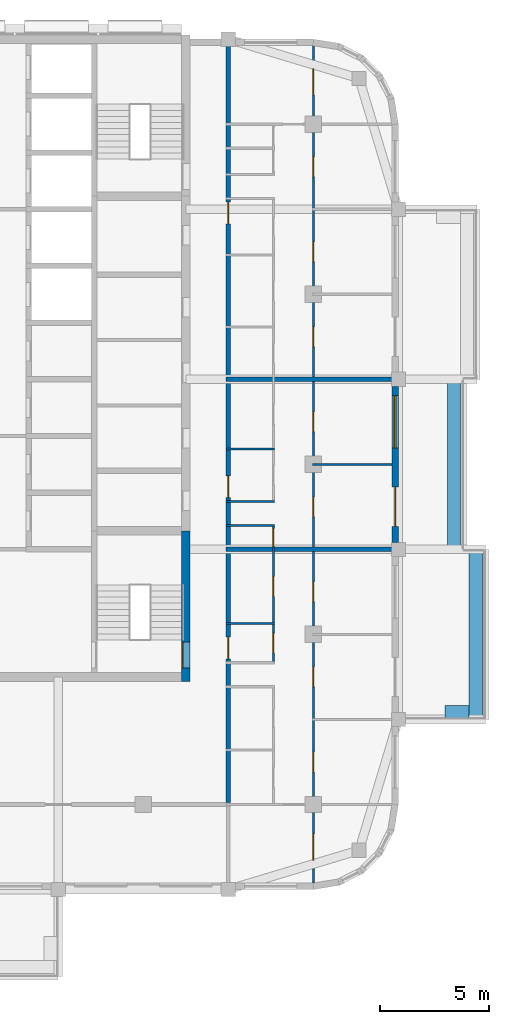
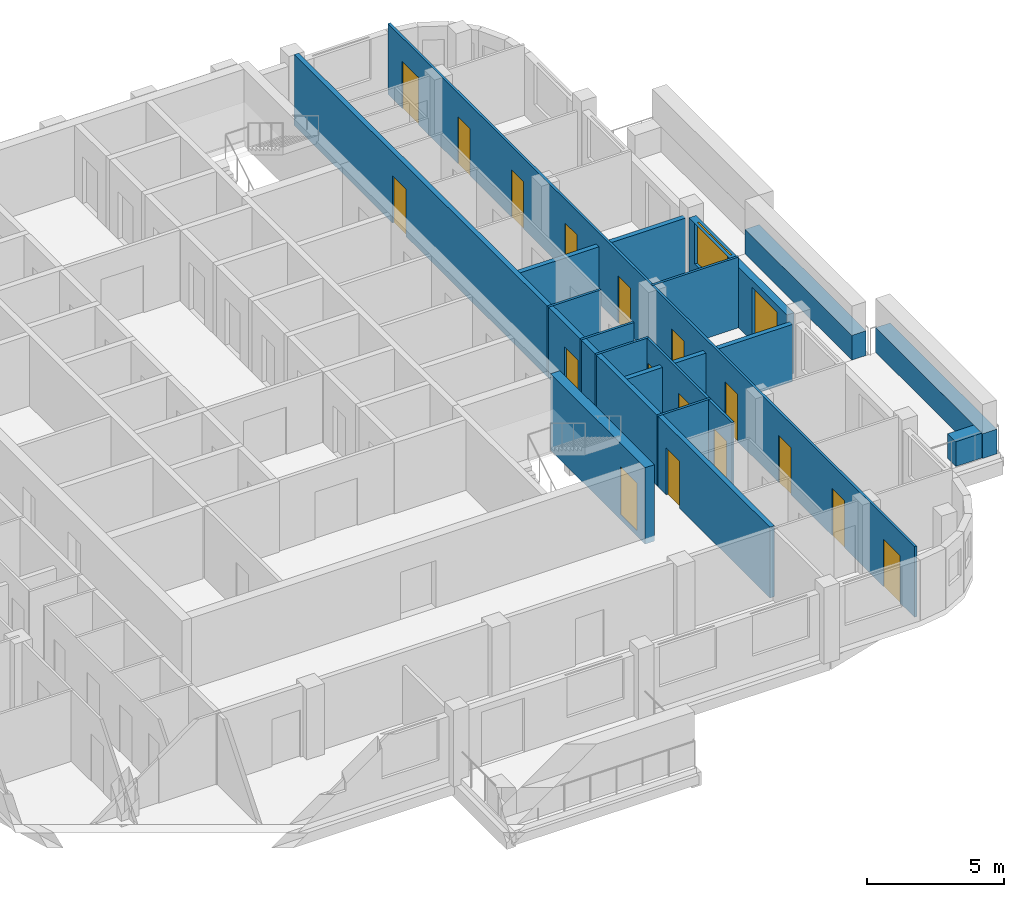
# One storey, part 6 of 13: 18 doors, 15 walls, 1 window, 19 openings.
"""IFC4 building model written with IfcOpenShell, lengths in metres."""

from ifc_helpers import new_model, si_unit, direction, frame, frame_2d, origin, place, context, subcontext, project, spatial, rectangle, extrude, material, layer, layer_set, type_object, element, fill, save


model = new_model("IFC4")

# Units and contexts
model_context = context("Model", 3, precision=1e-05, world=origin(), true_north=direction((0.0, 1.0)))
body_context = subcontext(model_context, "Body", "Model", "MODEL_VIEW")
ifc_project = project(units=[si_unit("LENGTHUNIT", "METRE"), si_unit("AREAUNIT", "SQUARE_METRE"), si_unit("VOLUMEUNIT", "CUBIC_METRE"), si_unit("PLANEANGLEUNIT", "RADIAN"), si_unit("MASSUNIT", "GRAM", prefix="KILO")], contexts=[model_context])

# Site, building, storey
site_placement = place(None, origin())
site = spatial("IfcSite", under=ifc_project, at=site_placement, CompositionType="ELEMENT")
building_placement = place(site_placement, origin())
building = spatial("IfcBuilding", under=site, at=building_placement, Name="Ludao Terraces", CompositionType="ELEMENT")
storey_placement = place(building_placement, frame((0.0, 0.0, 252.800048828125)))
storey = spatial("IfcBuildingStorey", under=building, at=storey_placement, Name="L69", CompositionType="ELEMENT", Elevation=252.800048828125)

# Wall, opening, door
ifc_material_1 = material(Name="Concrete C50", Category="concrete")
ifc_layer_1 = layer(ifc_material_1, 0.39990234375)
ifc_layer_set_1 = layer_set([ifc_layer_1], Name="Core wall 400 C50")
wall_type_1 = type_object("IfcWallType", Name="Core wall 400 C50", PredefinedType="SOLIDWALL", material=ifc_layer_set_1)
wall_1_placement = place(storey_placement, frame((94.75, 55.050048828125, -0.25), z_axis=(0.0, 0.0, 1.0), x_axis=(0.0, 1.0, 0.0)))
wall_1 = element("IfcWall", 1, at=wall_1_placement, inside=storey, type_object=wall_type_1, Name="Core wall L69 outer-E-S3", PredefinedType="SOLIDWALL", context=body_context, shape_type="SweptSolid", body=[
    extrude(rectangle(XDim=6.89990234375, YDim=0.39990234375, at=frame_2d((3.449951171875, 0.0))), origin(), (0.0, 0.0, 1.0), 3.39990234375),
])
opening_1_placement = place(wall_1_placement, frame((0.60009765625, 0.0, 0.25)))
opening_1 = element("IfcOpeningElement", 2, at=opening_1_placement, cuts=wall_1, Name="Opening R25-018", PredefinedType="OPENING", context=body_context, shape_type="SweptSolid", body=[
    extrude(rectangle(XDim=1.199951171875, YDim=2.10009765625, at=frame_2d((0.60009765625, 1.050048828125))), frame((0.0, 0.2099609375, 0.0), z_axis=(0.0, -1.0, 0.0), x_axis=(1.0, 0.0, 0.0)), (0.0, 0.0, 1.0), 0.419921875),
])
ifc_material_2 = material(Name="Steel Q235", Category="steel")
door_type_1 = type_object("IfcDoorType", Name="INT Stair door 1200", OperationType="DOUBLE_DOOR_SINGLE_SWING", PredefinedType="DOOR", material=ifc_material_2)
door_1_placement = place(opening_1_placement, origin())
door_1 = element("IfcDoor", 3, at=door_1_placement, inside=storey, type_object=door_type_1, Name="DOOR 018", OperationType="DOUBLE_DOOR_SINGLE_SWING", OverallHeight=2.10009765625, OverallWidth=1.199951171875, PredefinedType="DOOR", context=body_context, shape_type="SweptSolid", body=[
    extrude(rectangle(XDim=1.199951171875, YDim=2.10009765625, at=frame_2d((0.60009765625, 1.050048828125))), frame((0.0, 0.18505859375, 0.0), z_axis=(0.0, -1.0, 0.0), x_axis=(1.0, 0.0, 0.0)), (0.0, 0.0, 1.0), 0.050048828125),
])
fill(opening_1, door_1)

# Walls
ifc_material_3 = material(Name="Concrete C40", Category="concrete")
ifc_layer_2 = layer(ifc_material_3, 0.60009765625)
ifc_layer_set_2 = layer_set([ifc_layer_2], Name="ENV Planter trough 600")
wall_type_2 = type_object("IfcWallType", Name="ENV Planter trough 600", PredefinedType="USERDEFINED", material=ifc_layer_set_2)
wall_2_placement = place(storey_placement, frame((108.050048828125, 53.300048828125, 0.0), z_axis=(0.0, 0.0, 1.0), x_axis=(0.0, 1.0, 0.0)))
element("IfcWall", 4, at=wall_2_placement, inside=storey, type_object=wall_type_2, Name="PL-L69-E1", ObjectType="PLANTER", PredefinedType="USERDEFINED", context=body_context, shape_type="SweptSolid", body=[
    extrude(rectangle(XDim=7.800048828125, YDim=0.60009765625, at=frame_2d((3.89990234375, 0.0))), origin(), (0.0, 0.0, 1.0), 1.099853515625),
])
wall_3_placement = place(storey_placement, frame((107.75, 53.64990234375, 0.0), z_axis=(0.0, 0.0, 1.0), x_axis=(-1.0, 0.0, 0.0)))
element("IfcWall", 5, at=wall_3_placement, inside=storey, type_object=wall_type_2, Name="PL-L69-E1-SA", ObjectType="PLANTER", PredefinedType="USERDEFINED", context=body_context, shape_type="SweptSolid", body=[
    extrude(rectangle(XDim=1.10009765625, YDim=0.60009765625, at=frame_2d((0.550048828125, 0.0))), origin(), (0.0, 0.0, 1.0), 1.099853515625),
])
wall_4_placement = place(storey_placement, frame((107.050048828125, 61.10009765625, 0.0), z_axis=(0.0, 0.0, 1.0), x_axis=(0.0, 1.0, 0.0)))
element("IfcWall", 6, at=wall_4_placement, inside=storey, type_object=wall_type_2, Name="PL-L69-E2", ObjectType="PLANTER", PredefinedType="USERDEFINED", context=body_context, shape_type="SweptSolid", body=[
    extrude(rectangle(XDim=7.7998046875, YDim=0.60009765625, at=frame_2d((3.89990234375, 0.0))), origin(), (0.0, 0.0, 1.0), 1.099853515625),
])

# Wall, openings, door, window
ifc_material_4 = material(Name="Granite cladding", Category="masonry")
ifc_layer_3 = layer(ifc_material_4, 0.0400390625, Category="stone")
ifc_material_5 = material(Name="Mineral wool")
ifc_layer_4 = layer(ifc_material_5, 0.06005859375)
ifc_layer_5 = layer(ifc_material_3, 0.199951171875, Category="concrete")
ifc_layer_set_3 = layer_set([ifc_layer_3, ifc_layer_4, ifc_layer_5], Name="ENV Stone-clad wall 300")
wall_type_3 = type_object("IfcWallType", Name="ENV Stone-clad wall 300", PredefinedType="SOLIDWALL", material=ifc_layer_set_3)
wall_5_placement = place(storey_placement, frame((104.35009765625, 61.425048828125, 0.0), z_axis=(0.0, 0.0, 1.0), x_axis=(0.0, 1.0, 0.0)))
wall_5 = element("IfcWall", 7, at=wall_5_placement, inside=storey, type_object=wall_type_3, Name="EW-L69-E3", PredefinedType="SOLIDWALL", context=body_context, shape_type="SweptSolid", body=[
    extrude(rectangle(XDim=7.14990234375, YDim=0.300048828125, at=frame_2d((3.574951171875, 0.0))), origin(), (0.0, 0.0, 1.0), 2.699951171875),
])
opening_2_placement = place(wall_5_placement, frame((0.72509765625, 0.0, 0.0)))
opening_2 = element("IfcOpeningElement", 8, at=opening_2_placement, cuts=wall_5, Name="Opening BD", PredefinedType="OPENING", context=body_context, shape_type="SweptSolid", body=[
    extrude(rectangle(XDim=1.800048828125, YDim=2.39990234375, at=frame_2d((0.89990234375, 1.199951171875))), frame((0.0, 0.16015625, 0.0), z_axis=(0.0, -1.0, 0.0), x_axis=(1.0, 0.0, 0.0)), (0.0, 0.0, 1.0), 0.320068359375),
])
opening_3_placement = place(wall_5_placement, frame((4.324951171875, 0.0, 0.89990234375)))
opening_3 = element("IfcOpeningElement", 9, at=opening_3_placement, cuts=wall_5, Name="Opening W1", PredefinedType="OPENING", context=body_context, shape_type="SweptSolid", body=[
    extrude(rectangle(XDim=2.39990234375, YDim=1.800048828125, at=frame_2d((1.199951171875, 0.89990234375))), frame((0.0, 0.16015625, 0.0), z_axis=(0.0, -1.0, 0.0), x_axis=(1.0, 0.0, 0.0)), (0.0, 0.0, 1.0), 0.320068359375),
])
ifc_material_6 = material(Name="Aluminium glazed door", Category="aluminium")
ifc_layer_6 = layer(ifc_material_6, 0.06005859375)
ifc_layer_set_4 = layer_set([ifc_layer_6], Name="ENV Balcony door BD 1800x2400")
door_type_2 = type_object("IfcDoorType", Name="ENV Balcony door BD 1800x2400", OperationType="DOUBLE_DOOR_SINGLE_SWING", PredefinedType="DOOR", material=ifc_layer_set_4)
door_2_placement = place(opening_2_placement, origin())
door_2 = element("IfcDoor", 10, at=door_2_placement, inside=storey, type_object=door_type_2, Name="BD-L69-E3-1", OperationType="DOUBLE_DOOR_SINGLE_SWING", OverallHeight=2.39990234375, OverallWidth=1.800048828125, PredefinedType="DOOR", context=body_context, shape_type="SweptSolid", body=[
    extrude(rectangle(XDim=1.800048828125, YDim=2.39990234375, at=frame_2d((0.89990234375, 1.199951171875))), frame((0.0, 0.02490234375, 0.0), z_axis=(0.0, -1.0, 0.0), x_axis=(1.0, 0.0, 0.0)), (0.0, 0.0, 1.0), 0.050048828125),
])
fill(opening_2, door_2)
ifc_material_7 = material(Name="Clear glass in aluminium frame", Category="aluminium")
ifc_layer_7 = layer(ifc_material_7, 0.06005859375)
ifc_layer_set_5 = layer_set([ifc_layer_7], Name="ENV Window W1 2400x1800")
window_type = type_object("IfcWindowType", Name="ENV Window W1 2400x1800", PartitioningType="DOUBLE_PANEL_VERTICAL", PredefinedType="WINDOW", material=ifc_layer_set_5)
window_placement = place(opening_3_placement, origin())
window = element("IfcWindow", 11, at=window_placement, inside=storey, type_object=window_type, Name="W-L69-E3-2", OverallHeight=1.800048828125, OverallWidth=2.39990234375, PartitioningType="DOUBLE_PANEL_VERTICAL", PredefinedType="WINDOW", context=body_context, shape_type="SweptSolid", body=[
    extrude(rectangle(XDim=2.39990234375, YDim=1.800048828125, at=frame_2d((1.199951171875, 0.89990234375))), frame((0.0, 0.030029296875, 0.0), z_axis=(0.0, -1.0, 0.0), x_axis=(1.0, 0.0, 0.0)), (0.0, 0.0, 1.0), 0.06005859375),
])
fill(opening_3, window)

# Wall, openings, doors
ifc_material_8 = material(Name="Autoclaved aerated concrete block B06 A3.5", Category="concrete")
ifc_layer_8 = layer(ifc_material_8, 0.199951171875)
ifc_layer_set_6 = layer_set([ifc_layer_8], Name="INT Entrance wall 200")
wall_type_4 = type_object("IfcWallType", Name="INT Entrance wall 200", PredefinedType="PARTITIONING", material=ifc_layer_set_6)
wall_6_placement = place(storey_placement, frame((96.699951171875, 49.5, 0.0), z_axis=(0.0, 0.0, 1.0), x_axis=(0.0, 1.0, 0.0)))
wall_6 = element("IfcWall", 12, at=wall_6_placement, inside=storey, type_object=wall_type_4, Name="PW-L69-PW060", PredefinedType="PARTITIONING", context=body_context, shape_type="SweptSolid", body=[
    extrude(rectangle(XDim=34.7001953125, YDim=0.199951171875, at=frame_2d((17.35009765625, 0.0))), origin(), (0.0, 0.0, 1.0), 3.14990234375),
])
opening_4_placement = place(wall_6_placement, frame((6.5751953125, 0.0, 0.0)))
opening_4 = element("IfcOpeningElement", 13, at=opening_4_placement, cuts=wall_6, Name="Opening R25-019", PredefinedType="OPENING", context=body_context, shape_type="SweptSolid", body=[
    extrude(rectangle(XDim=1.0, YDim=2.10009765625, at=frame_2d((0.5, 1.050048828125))), frame((0.0, 0.10986328125, 0.0), z_axis=(0.0, -1.0, 0.0), x_axis=(1.0, 0.0, 0.0)), (0.0, 0.0, 1.0), 0.219970703125),
])
opening_5_placement = place(wall_6_placement, frame((13.97509765625, 0.0, 0.0)))
opening_5 = element("IfcOpeningElement", 14, at=opening_5_placement, cuts=wall_6, Name="Opening R25-037", PredefinedType="OPENING", context=body_context, shape_type="SweptSolid", body=[
    extrude(rectangle(XDim=1.0, YDim=2.10009765625, at=frame_2d((0.5, 1.050048828125))), frame((0.0, 0.10986328125, 0.0), z_axis=(0.0, -1.0, 0.0), x_axis=(1.0, 0.0, 0.0)), (0.0, 0.0, 1.0), 0.219970703125),
])
opening_6_placement = place(wall_6_placement, frame((26.525146484375, 0.0, 0.0)))
opening_6 = element("IfcOpeningElement", 15, at=opening_6_placement, cuts=wall_6, Name="Opening R25-073", PredefinedType="OPENING", context=body_context, shape_type="SweptSolid", body=[
    extrude(rectangle(XDim=1.0, YDim=2.10009765625, at=frame_2d((0.5, 1.050048828125))), frame((0.0, 0.10986328125, 0.0), z_axis=(0.0, -1.0, 0.0), x_axis=(1.0, 0.0, 0.0)), (0.0, 0.0, 1.0), 0.219970703125),
])
door_type_3 = type_object("IfcDoorType", Name="INT Flat entrance door 1000", OperationType="SINGLE_SWING_LEFT", PredefinedType="DOOR", material=ifc_material_2)
door_3_placement = place(opening_4_placement, origin())
door_3 = element("IfcDoor", 16, at=door_3_placement, inside=storey, type_object=door_type_3, Name="DOOR 019", OperationType="SINGLE_SWING_LEFT", OverallHeight=2.10009765625, OverallWidth=1.0, PredefinedType="DOOR", context=body_context, shape_type="SweptSolid", body=[
    extrude(rectangle(XDim=1.0, YDim=2.10009765625, at=frame_2d((0.5, 1.050048828125))), frame((0.0, 0.02490234375, 0.0), z_axis=(0.0, -1.0, 0.0), x_axis=(1.0, 0.0, 0.0)), (0.0, 0.0, 1.0), 0.050048828125),
])
fill(opening_4, door_3)
door_4_placement = place(opening_5_placement, origin())
door_4 = element("IfcDoor", 17, at=door_4_placement, inside=storey, type_object=door_type_3, Name="DOOR 037", OperationType="SINGLE_SWING_LEFT", OverallHeight=2.10009765625, OverallWidth=1.0, PredefinedType="DOOR", context=body_context, shape_type="SweptSolid", body=[
    extrude(rectangle(XDim=1.0, YDim=2.10009765625, at=frame_2d((0.5, 1.050048828125))), frame((0.0, 0.02490234375, 0.0), z_axis=(0.0, -1.0, 0.0), x_axis=(1.0, 0.0, 0.0)), (0.0, 0.0, 1.0), 0.050048828125),
])
fill(opening_5, door_4)
door_5_placement = place(opening_6_placement, origin())
door_5 = element("IfcDoor", 18, at=door_5_placement, inside=storey, type_object=door_type_3, Name="DOOR 073", OperationType="SINGLE_SWING_RIGHT", OverallHeight=2.10009765625, OverallWidth=1.0, PredefinedType="DOOR", context=body_context, shape_type="SweptSolid", body=[
    extrude(rectangle(XDim=1.0, YDim=2.10009765625, at=frame_2d((0.5, 1.050048828125))), frame((0.0, 0.02490234375, 0.0), z_axis=(0.0, -1.0, 0.0), x_axis=(1.0, 0.0, 0.0)), (0.0, 0.0, 1.0), 0.050048828125),
])
fill(opening_6, door_5)

# Walls
ifc_material_9 = material(Name="Gypsum plasterboard", Category="gypsum")
ifc_layer_9 = layer(ifc_material_9, 0.012451171875, Category="gypsum")
ifc_layer_10 = layer(ifc_material_5, 0.06005859375, Name="insulation")
ifc_layer_11 = layer(ifc_material_2, 0.014892578125, Name="stud")
ifc_layer_12 = layer(ifc_material_9, 0.012451171875, Category="gypsum")
ifc_layer_set_7 = layer_set([ifc_layer_9, ifc_layer_10, ifc_layer_11, ifc_layer_12], Name="INT Partition 100")
wall_type_5 = type_object("IfcWallType", Name="INT Partition 100", PredefinedType="PARTITIONING", material=ifc_layer_set_7)
for number, where, z_axis, x_axis, name in (
    (19, (96.60009765625, 57.699951171875, 0.0), (0.0, 0.0, 1.0), (1.0, 0.0, 0.0), "PW-L69-PW013"),
    (20, (96.60009765625, 62.199951171875, 0.0), (0.0, 0.0, 1.0), (1.0, 0.0, 0.0), "PW-L69-PW019"),
    (21, (96.60009765625, 63.300048828125, 0.0), (0.0, 0.0, 1.0), (1.0, 0.0, 0.0), "PW-L69-PW020"),
):
    element("IfcWall", number, at=place(storey_placement, frame(where, z_axis=z_axis, x_axis=x_axis)), inside=storey, type_object=wall_type_5, Name=name, PredefinedType="PARTITIONING", context=body_context, shape_type="SweptSolid", body=[
        extrude(rectangle(XDim=2.219970703125, YDim=0.10009765625, at=frame_2d((1.10986328125, 0.0))), origin(), (0.0, 0.0, 1.0), 3.14990234375),
    ])
wall_7_placement = place(storey_placement, frame((100.550048828125, 65.0, 0.0), z_axis=(0.0, 0.0, 1.0), x_axis=(1.0, 0.0, 0.0)))
element("IfcWall", 22, at=wall_7_placement, inside=storey, type_object=wall_type_5, Name="PW-L69-PW023", PredefinedType="PARTITIONING", context=body_context, shape_type="SweptSolid", body=[
    extrude(rectangle(XDim=3.650146484375, YDim=0.10009765625, at=frame_2d((1.8251953125, 0.0))), origin(), (0.0, 0.0, 1.0), 3.14990234375),
])
wall_8_placement = place(storey_placement, frame((96.60009765625, 65.699951171875, 0.0), z_axis=(0.0, 0.0, 1.0), x_axis=(1.0, 0.0, 0.0)))
element("IfcWall", 23, at=wall_8_placement, inside=storey, type_object=wall_type_5, Name="PW-L69-PW024", PredefinedType="PARTITIONING", context=body_context, shape_type="SweptSolid", body=[
    extrude(rectangle(XDim=2.219970703125, YDim=0.10009765625, at=frame_2d((1.10986328125, 0.0))), origin(), (0.0, 0.0, 1.0), 3.14990234375),
])

# Wall, openings, doors
wall_9_placement = place(storey_placement, frame((98.77001953125, 55.9501953125, 0.0), z_axis=(0.0, 0.0, 1.0), x_axis=(0.0, 1.0, 0.0)))
wall_9 = element("IfcWall", 24, at=wall_9_placement, inside=storey, type_object=wall_type_5, Name="PW-L69-PW062", PredefinedType="PARTITIONING", context=body_context, shape_type="SweptSolid", body=[
    extrude(rectangle(XDim=6.199951171875, YDim=0.10009765625, at=frame_2d((3.10009765625, 0.0))), origin(), (0.0, 0.0, 1.0), 3.14990234375),
])
opening_7_placement = place(wall_9_placement, frame((0.39990234375, 0.0, 0.0)))
opening_7 = element("IfcOpeningElement", 25, at=opening_7_placement, cuts=wall_9, Name="Opening R25-020", PredefinedType="OPENING", context=body_context, shape_type="SweptSolid", body=[
    extrude(rectangle(XDim=0.89990234375, YDim=2.10009765625, at=frame_2d((0.449951171875, 1.050048828125))), frame((0.0, 0.06005859375, 0.0), z_axis=(0.0, -1.0, 0.0), x_axis=(1.0, 0.0, 0.0)), (0.0, 0.0, 1.0), 0.1201171875),
])
opening_8_placement = place(wall_9_placement, frame((3.0, 0.0, 0.0)))
opening_8 = element("IfcOpeningElement", 26, at=opening_8_placement, cuts=wall_9, Name="Opening R25-025", PredefinedType="OPENING", context=body_context, shape_type="SweptSolid", body=[
    extrude(rectangle(XDim=0.89990234375, YDim=2.10009765625, at=frame_2d((0.449951171875, 1.050048828125))), frame((0.0, 0.06005859375, 0.0), z_axis=(0.0, -1.0, 0.0), x_axis=(1.0, 0.0, 0.0)), (0.0, 0.0, 1.0), 0.1201171875),
])
opening_9_placement = place(wall_9_placement, frame((5.2998046875, 0.0, 0.0)))
opening_9 = element("IfcOpeningElement", 27, at=opening_9_placement, cuts=wall_9, Name="Opening R25-029", PredefinedType="OPENING", context=body_context, shape_type="SweptSolid", body=[
    extrude(rectangle(XDim=0.800048828125, YDim=2.10009765625, at=frame_2d((0.39990234375, 1.050048828125))), frame((0.0, 0.06005859375, 0.0), z_axis=(0.0, -1.0, 0.0), x_axis=(1.0, 0.0, 0.0)), (0.0, 0.0, 1.0), 0.1201171875),
])
ifc_material_10 = material(Name="Timber door leaf", Category="wood")
door_type_4 = type_object("IfcDoorType", Name="INT Bathroom door 900", OperationType="SINGLE_SWING_LEFT", PredefinedType="DOOR", material=ifc_material_10)
door_6_placement = place(opening_7_placement, origin())
door_6 = element("IfcDoor", 28, at=door_6_placement, inside=storey, type_object=door_type_4, Name="DOOR 020", OperationType="SINGLE_SWING_LEFT", OverallHeight=2.10009765625, OverallWidth=0.89990234375, PredefinedType="DOOR", context=body_context, shape_type="SweptSolid", body=[
    extrude(rectangle(XDim=0.89990234375, YDim=2.10009765625, at=frame_2d((0.449951171875, 1.050048828125))), frame((0.0, 0.02490234375, 0.0), z_axis=(0.0, -1.0, 0.0), x_axis=(1.0, 0.0, 0.0)), (0.0, 0.0, 1.0), 0.050048828125),
])
fill(opening_7, door_6)
door_type_5 = type_object("IfcDoorType", Name="INT Room door 900", OperationType="SINGLE_SWING_LEFT", PredefinedType="DOOR", material=ifc_material_10)
door_7_placement = place(opening_8_placement, origin())
door_7 = element("IfcDoor", 29, at=door_7_placement, inside=storey, type_object=door_type_5, Name="DOOR 025", OperationType="SINGLE_SWING_RIGHT", OverallHeight=2.10009765625, OverallWidth=0.89990234375, PredefinedType="DOOR", context=body_context, shape_type="SweptSolid", body=[
    extrude(rectangle(XDim=0.89990234375, YDim=2.10009765625, at=frame_2d((0.449951171875, 1.050048828125))), frame((0.0, 0.02490234375, 0.0), z_axis=(0.0, -1.0, 0.0), x_axis=(1.0, 0.0, 0.0)), (0.0, 0.0, 1.0), 0.050048828125),
])
fill(opening_8, door_7)
door_type_6 = type_object("IfcDoorType", Name="INT Store door 800", OperationType="SINGLE_SWING_LEFT", PredefinedType="DOOR", material=ifc_material_10)
door_8_placement = place(opening_9_placement, origin())
door_8 = element("IfcDoor", 30, at=door_8_placement, inside=storey, type_object=door_type_6, Name="DOOR 029", OperationType="SINGLE_SWING_LEFT", OverallHeight=2.10009765625, OverallWidth=0.800048828125, PredefinedType="DOOR", context=body_context, shape_type="SweptSolid", body=[
    extrude(rectangle(XDim=0.800048828125, YDim=2.10009765625, at=frame_2d((0.39990234375, 1.050048828125))), frame((0.0, 0.02490234375, 0.0), z_axis=(0.0, -1.0, 0.0), x_axis=(1.0, 0.0, 0.0)), (0.0, 0.0, 1.0), 0.050048828125),
])
fill(opening_9, door_8)

wall_10_placement = place(storey_placement, frame((100.60009765625, 45.800048828125, 0.0), z_axis=(0.0, 0.0, 1.0), x_axis=(0.0, 1.0, 0.0)))
wall_10 = element("IfcWall", 31, at=wall_10_placement, inside=storey, type_object=wall_type_5, Name="PW-L69-PW065", PredefinedType="PARTITIONING", context=body_context, shape_type="SweptSolid", body=[
    extrude(rectangle(XDim=38.400146484375, YDim=0.10009765625, at=frame_2d((19.2001953125, 0.0))), origin(), (0.0, 0.0, 1.0), 3.14990234375),
])
opening_10_placement = place(wall_10_placement, frame((1.050048828125, 0.0, 0.0)))
opening_10 = element("IfcOpeningElement", 32, at=opening_10_placement, cuts=wall_10, Name="Opening R25-002", PredefinedType="OPENING", context=body_context, shape_type="SweptSolid", body=[
    extrude(rectangle(XDim=1.199951171875, YDim=2.10009765625, at=frame_2d((0.60009765625, 1.050048828125))), frame((0.0, 0.06005859375, 0.0), z_axis=(0.0, -1.0, 0.0), x_axis=(1.0, 0.0, 0.0)), (0.0, 0.0, 1.0), 0.1201171875),
])
opening_11_placement = place(wall_10_placement, frame((5.10009765625, 0.0, 0.0)))
opening_11 = element("IfcOpeningElement", 33, at=opening_11_placement, cuts=wall_10, Name="Opening R25-010", PredefinedType="OPENING", context=body_context, shape_type="SweptSolid", body=[
    extrude(rectangle(XDim=0.89990234375, YDim=2.10009765625, at=frame_2d((0.449951171875, 1.050048828125))), frame((0.0, 0.06005859375, 0.0), z_axis=(0.0, -1.0, 0.0), x_axis=(1.0, 0.0, 0.0)), (0.0, 0.0, 1.0), 0.1201171875),
])
opening_12_placement = place(wall_10_placement, frame((9.0, 0.0, 0.0)))
opening_12 = element("IfcOpeningElement", 34, at=opening_12_placement, cuts=wall_10, Name="Opening R25-016", PredefinedType="OPENING", context=body_context, shape_type="SweptSolid", body=[
    extrude(rectangle(XDim=0.89990234375, YDim=2.10009765625, at=frame_2d((0.449951171875, 1.050048828125))), frame((0.0, 0.06005859375, 0.0), z_axis=(0.0, -1.0, 0.0), x_axis=(1.0, 0.0, 0.0)), (0.0, 0.0, 1.0), 0.1201171875),
])
opening_13_placement = place(wall_10_placement, frame((12.89990234375, 0.0, 0.0)))
opening_13 = element("IfcOpeningElement", 35, at=opening_13_placement, cuts=wall_10, Name="Opening R25-024", PredefinedType="OPENING", context=body_context, shape_type="SweptSolid", body=[
    extrude(rectangle(XDim=0.89990234375, YDim=2.10009765625, at=frame_2d((0.449951171875, 1.050048828125))), frame((0.0, 0.06005859375, 0.0), z_axis=(0.0, -1.0, 0.0), x_axis=(1.0, 0.0, 0.0)), (0.0, 0.0, 1.0), 0.1201171875),
])
opening_14_placement = place(wall_10_placement, frame((16.800048828125, 0.0, 0.0)))
opening_14 = element("IfcOpeningElement", 36, at=opening_14_placement, cuts=wall_10, Name="Opening R25-035", PredefinedType="OPENING", context=body_context, shape_type="SweptSolid", body=[
    extrude(rectangle(XDim=0.89990234375, YDim=2.10009765625, at=frame_2d((0.449951171875, 1.050048828125))), frame((0.0, 0.06005859375, 0.0), z_axis=(0.0, -1.0, 0.0), x_axis=(1.0, 0.0, 0.0)), (0.0, 0.0, 1.0), 0.1201171875),
])
opening_15_placement = place(wall_10_placement, frame((20.699951171875, 0.0, 0.0)))
opening_15 = element("IfcOpeningElement", 37, at=opening_15_placement, cuts=wall_10, Name="Opening R25-046", PredefinedType="OPENING", context=body_context, shape_type="SweptSolid", body=[
    extrude(rectangle(XDim=0.89990234375, YDim=2.10009765625, at=frame_2d((0.449951171875, 1.050048828125))), frame((0.0, 0.06005859375, 0.0), z_axis=(0.0, -1.0, 0.0), x_axis=(1.0, 0.0, 0.0)), (0.0, 0.0, 1.0), 0.1201171875),
])
opening_16_placement = place(wall_10_placement, frame((24.60009765625, 0.0, 0.0)))
opening_16 = element("IfcOpeningElement", 38, at=opening_16_placement, cuts=wall_10, Name="Opening R25-057", PredefinedType="OPENING", context=body_context, shape_type="SweptSolid", body=[
    extrude(rectangle(XDim=0.89990234375, YDim=2.10009765625, at=frame_2d((0.449951171875, 1.050048828125))), frame((0.0, 0.06005859375, 0.0), z_axis=(0.0, -1.0, 0.0), x_axis=(1.0, 0.0, 0.0)), (0.0, 0.0, 1.0), 0.1201171875),
])
opening_17_placement = place(wall_10_placement, frame((28.5, 0.0, 0.0)))
opening_17 = element("IfcOpeningElement", 39, at=opening_17_placement, cuts=wall_10, Name="Opening R25-066", PredefinedType="OPENING", context=body_context, shape_type="SweptSolid", body=[
    extrude(rectangle(XDim=0.89990234375, YDim=2.10009765625, at=frame_2d((0.449951171875, 1.050048828125))), frame((0.0, 0.06005859375, 0.0), z_axis=(0.0, -1.0, 0.0), x_axis=(1.0, 0.0, 0.0)), (0.0, 0.0, 1.0), 0.1201171875),
])
opening_18_placement = place(wall_10_placement, frame((32.39990234375, 0.0, 0.0)))
opening_18 = element("IfcOpeningElement", 40, at=opening_18_placement, cuts=wall_10, Name="Opening R25-081", PredefinedType="OPENING", context=body_context, shape_type="SweptSolid", body=[
    extrude(rectangle(XDim=0.89990234375, YDim=2.10009765625, at=frame_2d((0.449951171875, 1.050048828125))), frame((0.0, 0.06005859375, 0.0), z_axis=(0.0, -1.0, 0.0), x_axis=(1.0, 0.0, 0.0)), (0.0, 0.0, 1.0), 0.1201171875),
])
opening_19_placement = place(wall_10_placement, frame((36.14990234375, 0.0, 0.0)))
opening_19 = element("IfcOpeningElement", 41, at=opening_19_placement, cuts=wall_10, Name="Opening R25-091", PredefinedType="OPENING", context=body_context, shape_type="SweptSolid", body=[
    extrude(rectangle(XDim=1.199951171875, YDim=2.10009765625, at=frame_2d((0.60009765625, 1.050048828125))), frame((0.0, 0.06005859375, 0.0), z_axis=(0.0, -1.0, 0.0), x_axis=(1.0, 0.0, 0.0)), (0.0, 0.0, 1.0), 0.1201171875),
])
door_type_7 = type_object("IfcDoorType", Name="INT Double door 1200", OperationType="DOUBLE_DOOR_SINGLE_SWING", PredefinedType="DOOR", material=ifc_material_10)
door_9_placement = place(opening_10_placement, origin())
door_9 = element("IfcDoor", 42, at=door_9_placement, inside=storey, type_object=door_type_7, Name="DOOR 002", OperationType="DOUBLE_DOOR_SINGLE_SWING", OverallHeight=2.10009765625, OverallWidth=1.199951171875, PredefinedType="DOOR", context=body_context, shape_type="SweptSolid", body=[
    extrude(rectangle(XDim=1.199951171875, YDim=2.10009765625, at=frame_2d((0.60009765625, 1.050048828125))), frame((0.0, 0.02490234375, 0.0), z_axis=(0.0, -1.0, 0.0), x_axis=(1.0, 0.0, 0.0)), (0.0, 0.0, 1.0), 0.050048828125),
])
fill(opening_10, door_9)
door_10_placement = place(opening_19_placement, origin())
door_10 = element("IfcDoor", 43, at=door_10_placement, inside=storey, type_object=door_type_7, Name="DOOR 091", OperationType="DOUBLE_DOOR_SINGLE_SWING", OverallHeight=2.10009765625, OverallWidth=1.199951171875, PredefinedType="DOOR", context=body_context, shape_type="SweptSolid", body=[
    extrude(rectangle(XDim=1.199951171875, YDim=2.10009765625, at=frame_2d((0.60009765625, 1.050048828125))), frame((0.0, 0.02490234375, 0.0), z_axis=(0.0, -1.0, 0.0), x_axis=(1.0, 0.0, 0.0)), (0.0, 0.0, 1.0), 0.050048828125),
])
fill(opening_19, door_10)
door_11_placement = place(opening_11_placement, origin())
door_11 = element("IfcDoor", 44, at=door_11_placement, inside=storey, type_object=door_type_5, Name="DOOR 010", OperationType="SINGLE_SWING_LEFT", OverallHeight=2.10009765625, OverallWidth=0.89990234375, PredefinedType="DOOR", context=body_context, shape_type="SweptSolid", body=[
    extrude(rectangle(XDim=0.89990234375, YDim=2.10009765625, at=frame_2d((0.449951171875, 1.050048828125))), frame((0.0, 0.02490234375, 0.0), z_axis=(0.0, -1.0, 0.0), x_axis=(1.0, 0.0, 0.0)), (0.0, 0.0, 1.0), 0.050048828125),
])
fill(opening_11, door_11)
door_12_placement = place(opening_12_placement, origin())
door_12 = element("IfcDoor", 45, at=door_12_placement, inside=storey, type_object=door_type_5, Name="DOOR 016", OperationType="SINGLE_SWING_LEFT", OverallHeight=2.10009765625, OverallWidth=0.89990234375, PredefinedType="DOOR", context=body_context, shape_type="SweptSolid", body=[
    extrude(rectangle(XDim=0.89990234375, YDim=2.10009765625, at=frame_2d((0.449951171875, 1.050048828125))), frame((0.0, 0.02490234375, 0.0), z_axis=(0.0, -1.0, 0.0), x_axis=(1.0, 0.0, 0.0)), (0.0, 0.0, 1.0), 0.050048828125),
])
fill(opening_12, door_12)
door_13_placement = place(opening_13_placement, origin())
door_13 = element("IfcDoor", 46, at=door_13_placement, inside=storey, type_object=door_type_5, Name="DOOR 024", OperationType="SINGLE_SWING_RIGHT", OverallHeight=2.10009765625, OverallWidth=0.89990234375, PredefinedType="DOOR", context=body_context, shape_type="SweptSolid", body=[
    extrude(rectangle(XDim=0.89990234375, YDim=2.10009765625, at=frame_2d((0.449951171875, 1.050048828125))), frame((0.0, 0.02490234375, 0.0), z_axis=(0.0, -1.0, 0.0), x_axis=(1.0, 0.0, 0.0)), (0.0, 0.0, 1.0), 0.050048828125),
])
fill(opening_13, door_13)
door_14_placement = place(opening_14_placement, origin())
door_14 = element("IfcDoor", 47, at=door_14_placement, inside=storey, type_object=door_type_5, Name="DOOR 035", OperationType="SINGLE_SWING_RIGHT", OverallHeight=2.10009765625, OverallWidth=0.89990234375, PredefinedType="DOOR", context=body_context, shape_type="SweptSolid", body=[
    extrude(rectangle(XDim=0.89990234375, YDim=2.10009765625, at=frame_2d((0.449951171875, 1.050048828125))), frame((0.0, 0.02490234375, 0.0), z_axis=(0.0, -1.0, 0.0), x_axis=(1.0, 0.0, 0.0)), (0.0, 0.0, 1.0), 0.050048828125),
])
fill(opening_14, door_14)
door_15_placement = place(opening_15_placement, origin())
door_15 = element("IfcDoor", 48, at=door_15_placement, inside=storey, type_object=door_type_5, Name="DOOR 046", OperationType="SINGLE_SWING_RIGHT", OverallHeight=2.10009765625, OverallWidth=0.89990234375, PredefinedType="DOOR", context=body_context, shape_type="SweptSolid", body=[
    extrude(rectangle(XDim=0.89990234375, YDim=2.10009765625, at=frame_2d((0.449951171875, 1.050048828125))), frame((0.0, 0.02490234375, 0.0), z_axis=(0.0, -1.0, 0.0), x_axis=(1.0, 0.0, 0.0)), (0.0, 0.0, 1.0), 0.050048828125),
])
fill(opening_15, door_15)
door_16_placement = place(opening_16_placement, origin())
door_16 = element("IfcDoor", 49, at=door_16_placement, inside=storey, type_object=door_type_5, Name="DOOR 057", OperationType="SINGLE_SWING_LEFT", OverallHeight=2.10009765625, OverallWidth=0.89990234375, PredefinedType="DOOR", context=body_context, shape_type="SweptSolid", body=[
    extrude(rectangle(XDim=0.89990234375, YDim=2.10009765625, at=frame_2d((0.449951171875, 1.050048828125))), frame((0.0, 0.02490234375, 0.0), z_axis=(0.0, -1.0, 0.0), x_axis=(1.0, 0.0, 0.0)), (0.0, 0.0, 1.0), 0.050048828125),
])
fill(opening_16, door_16)
door_17_placement = place(opening_17_placement, origin())
door_17 = element("IfcDoor", 50, at=door_17_placement, inside=storey, type_object=door_type_5, Name="DOOR 066", OperationType="SINGLE_SWING_RIGHT", OverallHeight=2.10009765625, OverallWidth=0.89990234375, PredefinedType="DOOR", context=body_context, shape_type="SweptSolid", body=[
    extrude(rectangle(XDim=0.89990234375, YDim=2.10009765625, at=frame_2d((0.449951171875, 1.050048828125))), frame((0.0, 0.02490234375, 0.0), z_axis=(0.0, -1.0, 0.0), x_axis=(1.0, 0.0, 0.0)), (0.0, 0.0, 1.0), 0.050048828125),
])
fill(opening_17, door_17)
door_18_placement = place(opening_18_placement, origin())
door_18 = element("IfcDoor", 51, at=door_18_placement, inside=storey, type_object=door_type_5, Name="DOOR 081", OperationType="SINGLE_SWING_RIGHT", OverallHeight=2.10009765625, OverallWidth=0.89990234375, PredefinedType="DOOR", context=body_context, shape_type="SweptSolid", body=[
    extrude(rectangle(XDim=0.89990234375, YDim=2.10009765625, at=frame_2d((0.449951171875, 1.050048828125))), frame((0.0, 0.02490234375, 0.0), z_axis=(0.0, -1.0, 0.0), x_axis=(1.0, 0.0, 0.0)), (0.0, 0.0, 1.0), 0.050048828125),
])
fill(opening_18, door_18)

# Walls
ifc_layer_13 = layer(ifc_material_8, 0.199951171875)
ifc_layer_set_8 = layer_set([ifc_layer_13], Name="INT Party wall 200")
wall_type_6 = type_object("IfcWallType", Name="INT Party wall 200", PredefinedType="PARTITIONING", material=ifc_layer_set_8)
for number, where, z_axis, x_axis, name in (
    (52, (96.60009765625, 61.10009765625, 0.0), (0.0, 0.0, 1.0), (1.0, 0.0, 0.0), "PW-L69-PW018"),
    (53, (96.60009765625, 68.89990234375, 0.0), (0.0, 0.0, 1.0), (1.0, 0.0, 0.0), "PW-L69-PW030"),
):
    element("IfcWall", number, at=place(storey_placement, frame(where, z_axis=z_axis, x_axis=x_axis)), inside=storey, type_object=wall_type_6, Name=name, PredefinedType="PARTITIONING", context=body_context, shape_type="SweptSolid", body=[
        extrude(rectangle(XDim=7.60009765625, YDim=0.199951171875, at=frame_2d((3.800048828125, 0.0))), origin(), (0.0, 0.0, 1.0), 2.5498046875),
    ])

save(model, "model.ifc")
